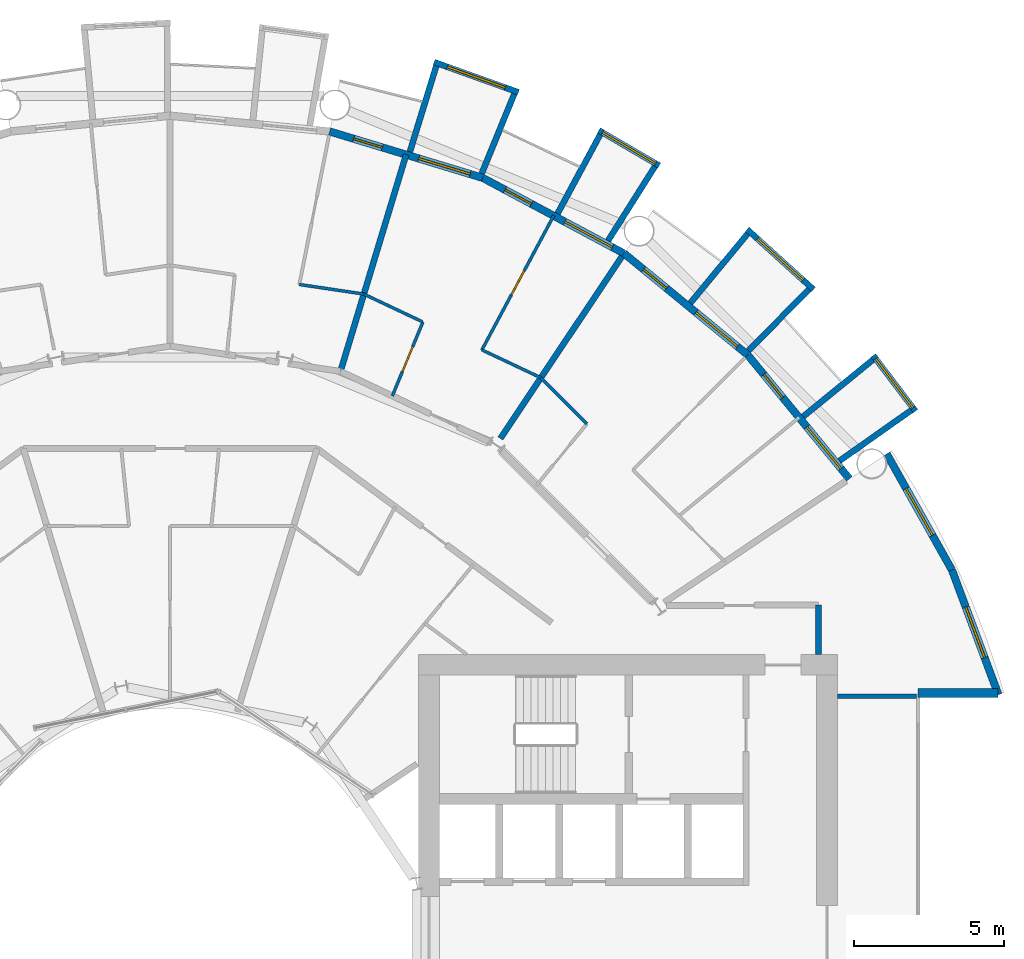
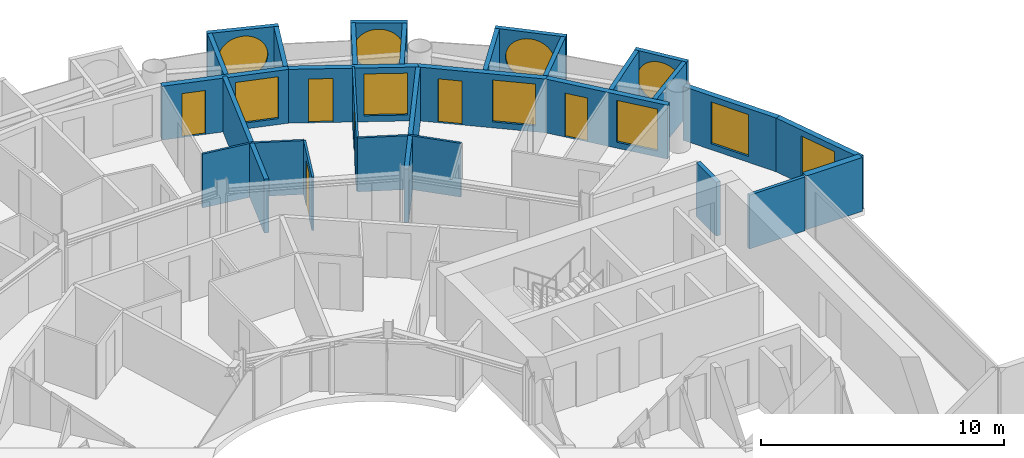
# One storey, part 22 of 26: 29 walls, 10 windows, 6 doors, 16 openings.
"""IFC4 building model written with IfcOpenShell, lengths in metres."""

from ifc_helpers import new_model, si_unit, direction, frame, frame_2d, origin, place, context, subcontext, project, spatial, rectangle, circle, extrude, material, layer, layer_set, type_object, element, fill, save


model = new_model("IFC4")

# Units and contexts
model_context = context("Model", 3, precision=1e-05, world=origin(), true_north=direction((0.0, 1.0)))
body_context = subcontext(model_context, "Body", "Model", "MODEL_VIEW")
ifc_project = project(units=[si_unit("LENGTHUNIT", "METRE"), si_unit("AREAUNIT", "SQUARE_METRE"), si_unit("VOLUMEUNIT", "CUBIC_METRE"), si_unit("PLANEANGLEUNIT", "RADIAN"), si_unit("MASSUNIT", "GRAM", prefix="KILO")], contexts=[model_context])

# Site, building, storey
site_placement = place(None, origin())
site = spatial("IfcSite", under=ifc_project, at=site_placement, CompositionType="ELEMENT")
building_placement = place(site_placement, origin())
building = spatial("IfcBuilding", under=site, at=building_placement, Name="Maasbend Ring Residences", CompositionType="ELEMENT")
storey_placement = place(building_placement, frame((0.0, 0.0, 75.800048828125)))
storey = spatial("IfcBuildingStorey", under=building, at=storey_placement, Name="L21", CompositionType="ELEMENT", Elevation=75.800048828125)

# Wall
ifc_material_1 = material(Name="Concrete C30/37", Category="concrete")
ifc_layer_1 = layer(ifc_material_1, 0.199951171875)
ifc_layer_set_1 = layer_set([ifc_layer_1], Name="Concrete C30/37")
wall_type_1 = type_object("IfcWallType", Name="CORRIDOR WALL 200 CONCRETE", PredefinedType="PARTITIONING", material=ifc_layer_set_1)
wall_1_placement = place(storey_placement, frame((21.675048828125, 9.300048828125, 0.0), z_axis=(0.0, 0.0, 1.0), x_axis=(0.0, 1.0, 0.0)))
element("IfcWall", 1, at=wall_1_placement, inside=storey, type_object=wall_type_1, Name="U-L21-w008", PredefinedType="PARTITIONING", context=body_context, shape_type="SweptSolid", body=[
    extrude(rectangle(XDim=1.64990234375, YDim=0.199951171875, at=frame_2d((0.824951171875, 0.0))), origin(), (0.0, 0.0, 1.0), 2.699951171875),
])

# Wall, opening, window
ifc_material_2 = material(Name="Pale anodised aluminium panel", Category="aluminium")
ifc_layer_2 = layer(ifc_material_2, 0.199951171875)
ifc_layer_set_2 = layer_set([ifc_layer_2], Name="EW-BOX")
wall_type_2 = type_object("IfcWallType", Name="EW-BOX", PredefinedType="SOLIDWALL", material=ifc_layer_set_2)
wall_2_placement = place(storey_placement, frame((24.908935546875, 17.427001953125, -0.030029296875), z_axis=(0.0, 0.0, 1.0), x_axis=(-0.60418752353, 0.796842165306, 0.0)))
wall_2 = element("IfcWall", 2, at=wall_2_placement, inside=storey, type_object=wall_type_2, Name="Box front N01", PredefinedType="SOLIDWALL", context=body_context, shape_type="SweptSolid", body=[
    extrude(rectangle(XDim=2.3369140625, YDim=0.199951171875, at=frame_2d((1.16845703125, 0.0))), origin(), (0.0, 0.0, 1.0), 2.72998046875),
])
opening_1_placement = place(wall_2_placement, frame((0.128173828125, 0.0, 0.330078125)))
opening_1 = element("IfcOpeningElement", 3, at=opening_1_placement, cuts=wall_2, Name="Opening W-RD", PredefinedType="OPENING", context=body_context, shape_type="SweptSolid", body=[
    extrude(circle(Radius=1.0400390625, at=frame_2d((1.0400390625, 1.0400390625))), frame((0.0, 0.10986328125, 0.0), z_axis=(0.0, -1.0, 0.0), x_axis=(1.0, 0.0, 0.0)), (0.0, 0.0, 1.0), 0.219970703125),
])
ifc_material_3 = material(Name="Aluminium and clear glass", Category="aluminium")
window_type_1 = type_object("IfcWindowType", Name="W-RD", PartitioningType="SINGLE_PANEL", PredefinedType="WINDOW", material=ifc_material_3)
window_1_placement = place(opening_1_placement, origin())
window_1 = element("IfcWindow", 4, at=window_1_placement, inside=storey, type_object=window_type_1, Name="Round window N01", OverallHeight=2.080078125, OverallWidth=2.080078125, PartitioningType="SINGLE_PANEL", PredefinedType="WINDOW", context=body_context, shape_type="SweptSolid", body=[
    extrude(circle(Radius=1.0400390625, at=frame_2d((1.0400390625, 1.0400390625))), frame((0.0, 0.030029296875, 0.0), z_axis=(0.0, -1.0, 0.0), x_axis=(1.0, 0.0, 0.0)), (0.0, 0.0, 1.0), 0.06005859375),
])
fill(opening_1, window_1)

# Walls
wall_3_placement = place(storey_placement, frame((22.3701171875, 15.764892578125, -0.030029296875), z_axis=(0.0, 0.0, 1.0), x_axis=(0.817256123454, 0.576274612209, 0.0)))
element("IfcWall", 5, at=wall_3_placement, inside=storey, type_object=wall_type_2, Name="Box side wall N01 left", PredefinedType="SOLIDWALL", context=body_context, shape_type="SweptSolid", body=[
    extrude(rectangle(XDim=2.932861328125, YDim=0.199951171875, at=frame_2d((1.46630859375, 0.0))), origin(), (0.0, 0.0, 1.0), 2.72998046875),
])
wall_4_placement = place(storey_placement, frame((21.155029296875, 17.24609375, -0.030029296875), z_axis=(0.0, 0.0, 1.0), x_axis=(0.775179004516, 0.631741648902, 0.0)))
element("IfcWall", 6, at=wall_4_placement, inside=storey, type_object=wall_type_2, Name="Box side wall N01 right", PredefinedType="SOLIDWALL", context=body_context, shape_type="SweptSolid", body=[
    extrude(rectangle(XDim=3.005859375, YDim=0.199951171875, at=frame_2d((1.5029296875, 0.0))), origin(), (0.0, 0.0, 1.0), 2.72998046875),
])

# Wall, opening, window
wall_5_placement = place(storey_placement, frame((21.5, 21.492919921875, -0.030029296875), z_axis=(0.0, 0.0, 1.0), x_axis=(-0.740998365753, 0.671506829416, 0.0)))
wall_5 = element("IfcWall", 7, at=wall_5_placement, inside=storey, type_object=wall_type_2, Name="Box front N03", PredefinedType="SOLIDWALL", context=body_context, shape_type="SweptSolid", body=[
    extrude(rectangle(XDim=2.9931640625, YDim=0.199951171875, at=frame_2d((1.49658203125, 0.0))), origin(), (0.0, 0.0, 1.0), 2.72998046875),
])
opening_2_placement = place(wall_5_placement, frame((0.45654296875, 0.0, 0.330078125)))
opening_2 = element("IfcOpeningElement", 8, at=opening_2_placement, cuts=wall_5, Name="Opening W-RD", PredefinedType="OPENING", context=body_context, shape_type="SweptSolid", body=[
    extrude(circle(Radius=1.0400390625, at=frame_2d((1.0400390625, 1.0400390625))), frame((0.0, 0.10986328125, 0.0), z_axis=(0.0, -1.0, 0.0), x_axis=(1.0, 0.0, 0.0)), (0.0, 0.0, 1.0), 0.219970703125),
])
window_2_placement = place(opening_2_placement, origin())
window_2 = element("IfcWindow", 9, at=window_2_placement, inside=storey, type_object=window_type_1, Name="Round window N03", OverallHeight=2.080078125, OverallWidth=2.080078125, PartitioningType="SINGLE_PANEL", PredefinedType="WINDOW", context=body_context, shape_type="SweptSolid", body=[
    extrude(circle(Radius=1.0400390625, at=frame_2d((1.0400390625, 1.0400390625))), frame((0.0, 0.030029296875, 0.0), z_axis=(0.0, -1.0, 0.0), x_axis=(1.0, 0.0, 0.0)), (0.0, 0.0, 1.0), 0.06005859375),
])
fill(opening_2, window_2)

# Walls
wall_6_placement = place(storey_placement, frame((19.322998046875, 19.449951171875, -0.030029296875), z_axis=(0.0, 0.0, 1.0), x_axis=(0.704476739375, 0.709727076896, 0.0)))
element("IfcWall", 10, at=wall_6_placement, inside=storey, type_object=wall_type_2, Name="Box side wall N03 left", PredefinedType="SOLIDWALL", context=body_context, shape_type="SweptSolid", body=[
    extrude(rectangle(XDim=2.883056640625, YDim=0.199951171875, at=frame_2d((1.44140625, 0.0))), origin(), (0.0, 0.0, 1.0), 2.72998046875),
])
wall_7_placement = place(storey_placement, frame((17.384033203125, 21.041015625, -0.030029296875), z_axis=(0.0, 0.0, 1.0), x_axis=(0.63709551667, 0.770784861449, 0.0)))
element("IfcWall", 11, at=wall_7_placement, inside=storey, type_object=wall_type_2, Name="Box side wall N03 right", PredefinedType="SOLIDWALL", context=body_context, shape_type="SweptSolid", body=[
    extrude(rectangle(XDim=3.005859375, YDim=0.199951171875, at=frame_2d((1.5029296875, 0.0))), origin(), (0.0, 0.0, 1.0), 2.72998046875),
])

# Wall, opening, window
wall_8_placement = place(storey_placement, frame((16.343994140625, 25.633056640625, -0.030029296875), z_axis=(0.0, 0.0, 1.0), x_axis=(-0.863346521872, 0.504611517081, 0.0)))
wall_8 = element("IfcWall", 12, at=wall_8_placement, inside=storey, type_object=wall_type_2, Name="Box front N05", PredefinedType="SOLIDWALL", context=body_context, shape_type="SweptSolid", body=[
    extrude(rectangle(XDim=2.33642578125, YDim=0.199951171875, at=frame_2d((1.168212890625, 0.0))), origin(), (0.0, 0.0, 1.0), 2.72998046875),
])
opening_3_placement = place(wall_8_placement, frame((0.128173828125, 0.0, 0.330078125)))
opening_3 = element("IfcOpeningElement", 13, at=opening_3_placement, cuts=wall_8, Name="Opening W-RD", PredefinedType="OPENING", context=body_context, shape_type="SweptSolid", body=[
    extrude(circle(Radius=1.0400390625, at=frame_2d((1.0400390625, 1.0400390625))), frame((0.0, 0.10986328125, 0.0), z_axis=(0.0, -1.0, 0.0), x_axis=(1.0, 0.0, 0.0)), (0.0, 0.0, 1.0), 0.219970703125),
])
window_3_placement = place(opening_3_placement, origin())
window_3 = element("IfcWindow", 14, at=window_3_placement, inside=storey, type_object=window_type_1, Name="Round window N05", OverallHeight=2.080078125, OverallWidth=2.080078125, PartitioningType="SINGLE_PANEL", PredefinedType="WINDOW", context=body_context, shape_type="SweptSolid", body=[
    extrude(circle(Radius=1.0400390625, at=frame_2d((1.0400390625, 1.0400390625))), frame((0.0, 0.030029296875, 0.0), z_axis=(0.0, -1.0, 0.0), x_axis=(1.0, 0.0, 0.0)), (0.0, 0.0, 1.0), 0.06005859375),
])
fill(opening_3, window_3)

# Walls
wall_9_placement = place(storey_placement, frame((14.635009765625, 23.1259765625, -0.030029296875), z_axis=(0.0, 0.0, 1.0), x_axis=(0.534437802731, 0.845207805816, 0.0)))
element("IfcWall", 15, at=wall_9_placement, inside=storey, type_object=wall_type_2, Name="Box side wall N05 left", PredefinedType="SOLIDWALL", context=body_context, shape_type="SweptSolid", body=[
    extrude(rectangle(XDim=2.931884765625, YDim=0.199951171875, at=frame_2d((1.4658203125, 0.0))), origin(), (0.0, 0.0, 1.0), 2.72998046875),
])
wall_10_placement = place(storey_placement, frame((12.945068359375, 24.029052734375, -0.030029296875), z_axis=(0.0, 0.0, 1.0), x_axis=(0.474424310775, 0.88029629861, 0.0)))
element("IfcWall", 16, at=wall_10_placement, inside=storey, type_object=wall_type_2, Name="Box side wall N05 right", PredefinedType="SOLIDWALL", context=body_context, shape_type="SweptSolid", body=[
    extrude(rectangle(XDim=3.005859375, YDim=0.199951171875, at=frame_2d((1.5029296875, 0.0))), origin(), (0.0, 0.0, 1.0), 2.72998046875),
])

# Wall, opening, window
wall_11_placement = place(storey_placement, frame((11.637939453125, 28.083984375, -0.030029296875), z_axis=(0.0, 0.0, 1.0), x_axis=(-0.941461077774, 0.337121697664, 0.0)))
wall_11 = element("IfcWall", 17, at=wall_11_placement, inside=storey, type_object=wall_type_2, Name="Box front N07", PredefinedType="SOLIDWALL", context=body_context, shape_type="SweptSolid", body=[
    extrude(rectangle(XDim=2.9931640625, YDim=0.199951171875, at=frame_2d((1.49658203125, 0.0))), origin(), (0.0, 0.0, 1.0), 2.72998046875),
])
opening_4_placement = place(wall_11_placement, frame((0.45654296875, 0.0, 0.330078125)))
opening_4 = element("IfcOpeningElement", 18, at=opening_4_placement, cuts=wall_11, Name="Opening W-RD", PredefinedType="OPENING", context=body_context, shape_type="SweptSolid", body=[
    extrude(circle(Radius=1.0400390625, at=frame_2d((1.0400390625, 1.0400390625))), frame((0.0, 0.10986328125, 0.0), z_axis=(0.0, -1.0, 0.0), x_axis=(1.0, 0.0, 0.0)), (0.0, 0.0, 1.0), 0.219970703125),
])
window_4_placement = place(opening_4_placement, origin())
window_4 = element("IfcWindow", 19, at=window_4_placement, inside=storey, type_object=window_type_1, Name="Round window N07", OverallHeight=2.080078125, OverallWidth=2.080078125, PartitioningType="SINGLE_PANEL", PredefinedType="WINDOW", context=body_context, shape_type="SweptSolid", body=[
    extrude(circle(Radius=1.0400390625, at=frame_2d((1.0400390625, 1.0400390625))), frame((0.0, 0.030029296875, 0.0), z_axis=(0.0, -1.0, 0.0), x_axis=(1.0, 0.0, 0.0)), (0.0, 0.0, 1.0), 0.06005859375),
])
fill(opening_4, window_4)

# Walls
wall_12_placement = place(storey_placement, frame((10.408935546875, 25.364013671875, -0.030029296875), z_axis=(0.0, 0.0, 1.0), x_axis=(0.379509886562, 0.925187681501, 0.0)))
element("IfcWall", 20, at=wall_12_placement, inside=storey, type_object=wall_type_2, Name="Box side wall N07 left", PredefinedType="SOLIDWALL", context=body_context, shape_type="SweptSolid", body=[
    extrude(rectangle(XDim=2.882568359375, YDim=0.199951171875, at=frame_2d((1.44140625, 0.0))), origin(), (0.0, 0.0, 1.0), 2.72998046875),
])
wall_13_placement = place(storey_placement, frame((8.009033203125, 26.092041015625, -0.030029296875), z_axis=(0.0, 0.0, 1.0), x_axis=(0.293406695073, 0.955987715029, 0.0)))
element("IfcWall", 21, at=wall_13_placement, inside=storey, type_object=wall_type_2, Name="Box side wall N07 right", PredefinedType="SOLIDWALL", context=body_context, shape_type="SweptSolid", body=[
    extrude(rectangle(XDim=3.00634765625, YDim=0.199951171875, at=frame_2d((1.503173828125, 0.0))), origin(), (0.0, 0.0, 1.0), 2.72998046875),
])

# Wall, openings, door, window
ifc_material_4 = material(Name="Aluminium clad insulated panel", Category="aluminium")
ifc_layer_3 = layer(ifc_material_4, 0.25)
ifc_layer_set_3 = layer_set([ifc_layer_3], Name="EW-GL")
wall_type_3 = type_object("IfcWallType", Name="EW-GL", PredefinedType="SOLIDWALL", material=ifc_layer_set_3)
wall_14_placement = place(storey_placement, frame((22.698974609375, 15.1669921875, 0.0), z_axis=(0.0, 0.0, 1.0), x_axis=(-0.634382322723, 0.773019449054, 0.0)))
wall_14 = element("IfcWall", 22, at=wall_14_placement, inside=storey, type_object=wall_type_3, Name="External wall N01", PredefinedType="SOLIDWALL", context=body_context, shape_type="SweptSolid", body=[
    extrude(rectangle(XDim=5.351806640625, YDim=0.25, at=frame_2d((2.67578125, 0.0))), origin(), (0.0, 0.0, 1.0), 2.699951171875),
])
opening_5_placement = place(wall_14_placement, frame((0.441162109375, 0.0, 0.300048828125)))
opening_5 = element("IfcOpeningElement", 23, at=opening_5_placement, cuts=wall_14, Name="Opening W-BX", PredefinedType="OPENING", context=body_context, shape_type="SweptSolid", body=[
    extrude(rectangle(XDim=1.800048828125, YDim=2.10009765625, at=frame_2d((0.89990234375, 1.050048828125))), frame((0.0, 0.135009765625, 0.0), z_axis=(0.0, -1.0, 0.0), x_axis=(1.0, 0.0, 0.0)), (0.0, 0.0, 1.0), 0.27001953125),
])
opening_6_placement = place(wall_14_placement, frame((3.510498046875, 0.0, 0.0)))
opening_6 = element("IfcOpeningElement", 24, at=opening_6_placement, cuts=wall_14, Name="Opening D-LG", PredefinedType="OPENING", context=body_context, shape_type="SweptSolid", body=[
    extrude(rectangle(XDim=1.0, YDim=2.199951171875, at=frame_2d((0.5, 1.10009765625))), frame((0.0, 0.135009765625, 0.0), z_axis=(0.0, -1.0, 0.0), x_axis=(1.0, 0.0, 0.0)), (0.0, 0.0, 1.0), 0.27001953125),
])
ifc_material_5 = material(Name="Aluminium and clear glass", Category="aluminium")
door_type_1 = type_object("IfcDoorType", Name="D-LG", OperationType="SINGLE_SWING_LEFT", PredefinedType="DOOR", material=ifc_material_5)
door_1_placement = place(opening_6_placement, origin())
door_1 = element("IfcDoor", 25, at=door_1_placement, inside=storey, type_object=door_type_1, Name="Loggia door N02", OperationType="SINGLE_SWING_LEFT", OverallHeight=2.199951171875, OverallWidth=1.0, PredefinedType="DOOR", context=body_context, shape_type="SweptSolid", body=[
    extrude(rectangle(XDim=1.0, YDim=2.199951171875, at=frame_2d((0.5, 1.10009765625))), frame((0.0, 0.02490234375, 0.0), z_axis=(0.0, -1.0, 0.0), x_axis=(1.0, 0.0, 0.0)), (0.0, 0.0, 1.0), 0.050048828125),
])
fill(opening_6, door_1)
ifc_material_6 = material(Name="Aluminium and clear glass", Category="aluminium")
window_type_2 = type_object("IfcWindowType", Name="W-BX", PartitioningType="DOUBLE_PANEL_VERTICAL", PredefinedType="WINDOW", material=ifc_material_6)
window_5_placement = place(opening_5_placement, origin())
window_5 = element("IfcWindow", 26, at=window_5_placement, inside=storey, type_object=window_type_2, Name="Window N01 room to box", OverallHeight=2.10009765625, OverallWidth=1.800048828125, PartitioningType="SINGLE_PANEL", PredefinedType="WINDOW", context=body_context, shape_type="SweptSolid", body=[
    extrude(rectangle(XDim=1.800048828125, YDim=2.10009765625, at=frame_2d((0.89990234375, 1.050048828125))), frame((0.0, 0.030029296875, 0.0), z_axis=(0.0, -1.0, 0.0), x_axis=(1.0, 0.0, 0.0)), (0.0, 0.0, 1.0), 0.06005859375),
])
fill(opening_5, window_5)

wall_15_placement = place(storey_placement, frame((19.303955078125, 19.303955078125, 0.0), z_axis=(0.0, 0.0, 1.0), x_axis=(-0.773019449054, 0.634382322723, 0.0)))
wall_15 = element("IfcWall", 27, at=wall_15_placement, inside=storey, type_object=wall_type_3, Name="External wall N02", PredefinedType="SOLIDWALL", context=body_context, shape_type="SweptSolid", body=[
    extrude(rectangle(XDim=5.351806640625, YDim=0.25, at=frame_2d((2.67578125, 0.0))), origin(), (0.0, 0.0, 1.0), 2.699951171875),
])
opening_7_placement = place(wall_15_placement, frame((0.441162109375, 0.0, 0.300048828125)))
opening_7 = element("IfcOpeningElement", 28, at=opening_7_placement, cuts=wall_15, Name="Opening W-BX", PredefinedType="OPENING", context=body_context, shape_type="SweptSolid", body=[
    extrude(rectangle(XDim=1.800048828125, YDim=2.10009765625, at=frame_2d((0.89990234375, 1.050048828125))), frame((0.0, 0.135009765625, 0.0), z_axis=(0.0, -1.0, 0.0), x_axis=(1.0, 0.0, 0.0)), (0.0, 0.0, 1.0), 0.27001953125),
])
opening_8_placement = place(wall_15_placement, frame((3.510498046875, 0.0, 0.0)))
opening_8 = element("IfcOpeningElement", 29, at=opening_8_placement, cuts=wall_15, Name="Opening D-LG", PredefinedType="OPENING", context=body_context, shape_type="SweptSolid", body=[
    extrude(rectangle(XDim=1.0, YDim=2.199951171875, at=frame_2d((0.5, 1.10009765625))), frame((0.0, 0.135009765625, 0.0), z_axis=(0.0, -1.0, 0.0), x_axis=(1.0, 0.0, 0.0)), (0.0, 0.0, 1.0), 0.27001953125),
])
door_2_placement = place(opening_8_placement, origin())
door_2 = element("IfcDoor", 30, at=door_2_placement, inside=storey, type_object=door_type_1, Name="Loggia door N04", OperationType="SINGLE_SWING_LEFT", OverallHeight=2.199951171875, OverallWidth=1.0, PredefinedType="DOOR", context=body_context, shape_type="SweptSolid", body=[
    extrude(rectangle(XDim=1.0, YDim=2.199951171875, at=frame_2d((0.5, 1.10009765625))), frame((0.0, 0.02490234375, 0.0), z_axis=(0.0, -1.0, 0.0), x_axis=(1.0, 0.0, 0.0)), (0.0, 0.0, 1.0), 0.050048828125),
])
fill(opening_8, door_2)
window_6_placement = place(opening_7_placement, origin())
window_6 = element("IfcWindow", 31, at=window_6_placement, inside=storey, type_object=window_type_2, Name="Window N03 room to box", OverallHeight=2.10009765625, OverallWidth=1.800048828125, PartitioningType="SINGLE_PANEL", PredefinedType="WINDOW", context=body_context, shape_type="SweptSolid", body=[
    extrude(rectangle(XDim=1.800048828125, YDim=2.10009765625, at=frame_2d((0.89990234375, 1.050048828125))), frame((0.0, 0.030029296875, 0.0), z_axis=(0.0, -1.0, 0.0), x_axis=(1.0, 0.0, 0.0)), (0.0, 0.0, 1.0), 0.06005859375),
])
fill(opening_7, window_6)

wall_16_placement = place(storey_placement, frame((15.1669921875, 22.698974609375, 0.0), z_axis=(0.0, 0.0, 1.0), x_axis=(-0.881915646801, 0.471407246368, 0.0)))
wall_16 = element("IfcWall", 32, at=wall_16_placement, inside=storey, type_object=wall_type_3, Name="External wall N03", PredefinedType="SOLIDWALL", context=body_context, shape_type="SweptSolid", body=[
    extrude(rectangle(XDim=5.35205078125, YDim=0.25, at=frame_2d((2.676025390625, 0.0))), origin(), (0.0, 0.0, 1.0), 2.699951171875),
])
opening_9_placement = place(wall_16_placement, frame((0.441162109375, 0.0, 0.300048828125)))
opening_9 = element("IfcOpeningElement", 33, at=opening_9_placement, cuts=wall_16, Name="Opening W-BX", PredefinedType="OPENING", context=body_context, shape_type="SweptSolid", body=[
    extrude(rectangle(XDim=1.800048828125, YDim=2.10009765625, at=frame_2d((0.89990234375, 1.050048828125))), frame((0.0, 0.135009765625, 0.0), z_axis=(0.0, -1.0, 0.0), x_axis=(1.0, 0.0, 0.0)), (0.0, 0.0, 1.0), 0.27001953125),
])
opening_10_placement = place(wall_16_placement, frame((3.510498046875, 0.0, 0.0)))
opening_10 = element("IfcOpeningElement", 34, at=opening_10_placement, cuts=wall_16, Name="Opening D-LG", PredefinedType="OPENING", context=body_context, shape_type="SweptSolid", body=[
    extrude(rectangle(XDim=1.0, YDim=2.199951171875, at=frame_2d((0.5, 1.10009765625))), frame((0.0, 0.135009765625, 0.0), z_axis=(0.0, -1.0, 0.0), x_axis=(1.0, 0.0, 0.0)), (0.0, 0.0, 1.0), 0.27001953125),
])
door_3_placement = place(opening_10_placement, origin())
door_3 = element("IfcDoor", 35, at=door_3_placement, inside=storey, type_object=door_type_1, Name="Loggia door N06", OperationType="SINGLE_SWING_LEFT", OverallHeight=2.199951171875, OverallWidth=1.0, PredefinedType="DOOR", context=body_context, shape_type="SweptSolid", body=[
    extrude(rectangle(XDim=1.0, YDim=2.199951171875, at=frame_2d((0.5, 1.10009765625))), frame((0.0, 0.02490234375, 0.0), z_axis=(0.0, -1.0, 0.0), x_axis=(1.0, 0.0, 0.0)), (0.0, 0.0, 1.0), 0.050048828125),
])
fill(opening_10, door_3)
window_7_placement = place(opening_9_placement, origin())
window_7 = element("IfcWindow", 36, at=window_7_placement, inside=storey, type_object=window_type_2, Name="Window N05 room to box", OverallHeight=2.10009765625, OverallWidth=1.800048828125, PartitioningType="SINGLE_PANEL", PredefinedType="WINDOW", context=body_context, shape_type="SweptSolid", body=[
    extrude(rectangle(XDim=1.800048828125, YDim=2.10009765625, at=frame_2d((0.89990234375, 1.050048828125))), frame((0.0, 0.030029296875, 0.0), z_axis=(0.0, -1.0, 0.0), x_axis=(1.0, 0.0, 0.0)), (0.0, 0.0, 1.0), 0.06005859375),
])
fill(opening_9, window_7)

wall_17_placement = place(storey_placement, frame((10.447021484375, 25.221923828125, 0.0), z_axis=(0.0, 0.0, 1.0), x_axis=(-0.956965678721, 0.290201119486, 0.0)))
wall_17 = element("IfcWall", 37, at=wall_17_placement, inside=storey, type_object=wall_type_3, Name="External wall N04", PredefinedType="SOLIDWALL", context=body_context, shape_type="SweptSolid", body=[
    extrude(rectangle(XDim=5.351318359375, YDim=0.25, at=frame_2d((2.67578125, 0.0))), origin(), (0.0, 0.0, 1.0), 2.699951171875),
])
opening_11_placement = place(wall_17_placement, frame((0.441162109375, 0.0, 0.300048828125)))
opening_11 = element("IfcOpeningElement", 38, at=opening_11_placement, cuts=wall_17, Name="Opening W-BX", PredefinedType="OPENING", context=body_context, shape_type="SweptSolid", body=[
    extrude(rectangle(XDim=1.800048828125, YDim=2.10009765625, at=frame_2d((0.89990234375, 1.050048828125))), frame((0.0, 0.135009765625, 0.0), z_axis=(0.0, -1.0, 0.0), x_axis=(1.0, 0.0, 0.0)), (0.0, 0.0, 1.0), 0.27001953125),
])
opening_12_placement = place(wall_17_placement, frame((3.510498046875, 0.0, 0.0)))
opening_12 = element("IfcOpeningElement", 39, at=opening_12_placement, cuts=wall_17, Name="Opening D-LG", PredefinedType="OPENING", context=body_context, shape_type="SweptSolid", body=[
    extrude(rectangle(XDim=1.0, YDim=2.199951171875, at=frame_2d((0.5, 1.10009765625))), frame((0.0, 0.135009765625, 0.0), z_axis=(0.0, -1.0, 0.0), x_axis=(1.0, 0.0, 0.0)), (0.0, 0.0, 1.0), 0.27001953125),
])
door_4_placement = place(opening_12_placement, origin())
door_4 = element("IfcDoor", 40, at=door_4_placement, inside=storey, type_object=door_type_1, Name="Loggia door N08", OperationType="SINGLE_SWING_LEFT", OverallHeight=2.199951171875, OverallWidth=1.0, PredefinedType="DOOR", context=body_context, shape_type="SweptSolid", body=[
    extrude(rectangle(XDim=1.0, YDim=2.199951171875, at=frame_2d((0.5, 1.10009765625))), frame((0.0, 0.02490234375, 0.0), z_axis=(0.0, -1.0, 0.0), x_axis=(1.0, 0.0, 0.0)), (0.0, 0.0, 1.0), 0.050048828125),
])
fill(opening_12, door_4)
window_8_placement = place(opening_11_placement, origin())
window_8 = element("IfcWindow", 41, at=window_8_placement, inside=storey, type_object=window_type_2, Name="Window N07 room to box", OverallHeight=2.10009765625, OverallWidth=1.800048828125, PartitioningType="SINGLE_PANEL", PredefinedType="WINDOW", context=body_context, shape_type="SweptSolid", body=[
    extrude(rectangle(XDim=1.800048828125, YDim=2.10009765625, at=frame_2d((0.89990234375, 1.050048828125))), frame((0.0, 0.030029296875, 0.0), z_axis=(0.0, -1.0, 0.0), x_axis=(1.0, 0.0, 0.0)), (0.0, 0.0, 1.0), 0.06005859375),
])
fill(opening_11, window_8)

# Wall, opening, window
ifc_material_7 = material(Name="Aluminium clad insulated panel", Category="aluminium")
ifc_layer_4 = layer(ifc_material_7, 0.25)
ifc_layer_set_4 = layer_set([ifc_layer_4], Name="EW-HORN")
wall_type_4 = type_object("IfcWallType", Name="EW-HORN", PredefinedType="SOLIDWALL", material=ifc_layer_set_4)
wall_18_placement = place(storey_placement, frame((27.681884765625, 7.945068359375, 0.0), z_axis=(0.0, 0.0, 1.0), x_axis=(-0.349247811493, 0.937030397675, 0.0)))
wall_18 = element("IfcWall", 42, at=wall_18_placement, inside=storey, type_object=wall_type_4, Name="Horn wall 1.1", PredefinedType="SOLIDWALL", context=body_context, shape_type="SweptSolid", body=[
    extrude(rectangle(XDim=4.4521484375, YDim=0.25, at=frame_2d((2.22607421875, 0.0))), origin(), (0.0, 0.0, 1.0), 2.699951171875),
])
opening_13_placement = place(wall_18_placement, frame((1.32666015625, 0.0, 0.300048828125)))
opening_13 = element("IfcOpeningElement", 43, at=opening_13_placement, cuts=wall_18, Name="Opening W-BX", PredefinedType="OPENING", context=body_context, shape_type="SweptSolid", body=[
    extrude(rectangle(XDim=1.800048828125, YDim=2.10009765625, at=frame_2d((0.89990234375, 1.050048828125))), frame((0.0, 0.135009765625, 0.0), z_axis=(0.0, -1.0, 0.0), x_axis=(1.0, 0.0, 0.0)), (0.0, 0.0, 1.0), 0.27001953125),
])
window_9_placement = place(opening_13_placement, origin())
window_9 = element("IfcWindow", 44, at=window_9_placement, inside=storey, type_object=window_type_2, Name="Horn window 1.1", OverallHeight=2.10009765625, OverallWidth=1.800048828125, PartitioningType="SINGLE_PANEL", PredefinedType="WINDOW", context=body_context, shape_type="SweptSolid", body=[
    extrude(rectangle(XDim=1.800048828125, YDim=2.10009765625, at=frame_2d((0.89990234375, 1.050048828125))), frame((0.0, 0.030029296875, 0.0), z_axis=(0.0, -1.0, 0.0), x_axis=(1.0, 0.0, 0.0)), (0.0, 0.0, 1.0), 0.06005859375),
])
fill(opening_13, window_9)

wall_19_placement = place(storey_placement, frame((26.126953125, 12.116943359375, 0.0), z_axis=(0.0, 0.0, 1.0), x_axis=(-0.489696356642, 0.871893042919, 0.0)))
wall_19 = element("IfcWall", 45, at=wall_19_placement, inside=storey, type_object=wall_type_4, Name="Horn wall 1.2", PredefinedType="SOLIDWALL", context=body_context, shape_type="SweptSolid", body=[
    extrude(rectangle(XDim=4.45361328125, YDim=0.25, at=frame_2d((2.226806640625, 0.0))), origin(), (0.0, 0.0, 1.0), 2.699951171875),
])
opening_14_placement = place(wall_19_placement, frame((1.32666015625, 0.0, 0.300048828125)))
opening_14 = element("IfcOpeningElement", 46, at=opening_14_placement, cuts=wall_19, Name="Opening W-BX", PredefinedType="OPENING", context=body_context, shape_type="SweptSolid", body=[
    extrude(rectangle(XDim=1.800048828125, YDim=2.10009765625, at=frame_2d((0.89990234375, 1.050048828125))), frame((0.0, 0.135009765625, 0.0), z_axis=(0.0, -1.0, 0.0), x_axis=(1.0, 0.0, 0.0)), (0.0, 0.0, 1.0), 0.27001953125),
])
window_10_placement = place(opening_14_placement, origin())
window_10 = element("IfcWindow", 47, at=window_10_placement, inside=storey, type_object=window_type_2, Name="Horn window 1.2", OverallHeight=2.10009765625, OverallWidth=1.800048828125, PartitioningType="SINGLE_PANEL", PredefinedType="WINDOW", context=body_context, shape_type="SweptSolid", body=[
    extrude(rectangle(XDim=1.800048828125, YDim=2.10009765625, at=frame_2d((0.89990234375, 1.050048828125))), frame((0.0, 0.030029296875, 0.0), z_axis=(0.0, -1.0, 0.0), x_axis=(1.0, 0.0, 0.0)), (0.0, 0.0, 1.0), 0.06005859375),
])
fill(opening_14, window_10)

# Wall
ifc_material_8 = material(Name="Aluminium clad insulated panel", Category="aluminium")
ifc_layer_5 = layer(ifc_material_8, 0.300048828125)
ifc_layer_set_5 = layer_set([ifc_layer_5], Name="EW-RET")
wall_type_5 = type_object("IfcWallType", Name="EW-RET", PredefinedType="SOLIDWALL", material=ifc_layer_set_5)
wall_20_placement = place(storey_placement, frame((25.0, 8.0, 0.0), z_axis=(0.0, 0.0, 1.0), x_axis=(1.0, 0.0, 0.0)))
element("IfcWall", 48, at=wall_20_placement, inside=storey, type_object=wall_type_5, Name="Notch return wall east north", PredefinedType="SOLIDWALL", context=body_context, shape_type="SweptSolid", body=[
    extrude(rectangle(XDim=2.6669921875, YDim=0.300048828125, at=frame_2d((1.33349609375, 0.0))), origin(), (0.0, 0.0, 1.0), 2.699951171875),
])

# Wall, opening, door
ifc_material_9 = material(Name="Gypsum board on steel studs", Category="steel")
ifc_layer_6 = layer(ifc_material_9, 0.10009765625)
ifc_layer_set_6 = layer_set([ifc_layer_6], Name="PARTITION 100 GYPSUM")
wall_type_6 = type_object("IfcWallType", Name="PARTITION 100 GYPSUM", PredefinedType="PARTITIONING", material=ifc_layer_set_6)
wall_21_placement = place(storey_placement, frame((7.423095703125, 17.93603515625, 0.0), z_axis=(0.0, 0.0, 1.0), x_axis=(0.382195876364, 0.924081334132, 0.0)))
wall_21 = element("IfcWall", 49, at=wall_21_placement, inside=storey, type_object=wall_type_6, Name="U-L21-w080", PredefinedType="PARTITIONING", context=body_context, shape_type="SweptSolid", body=[
    extrude(rectangle(XDim=2.673828125, YDim=0.10009765625, at=frame_2d((1.3369140625, 0.0))), origin(), (0.0, 0.0, 1.0), 2.699951171875),
])
opening_15_placement = place(wall_21_placement, frame((0.886962890625, 0.0, 0.0)))
opening_15 = element("IfcOpeningElement", 50, at=opening_15_placement, cuts=wall_21, Name="Opening D-2106", PredefinedType="OPENING", context=body_context, shape_type="SweptSolid", body=[
    extrude(rectangle(XDim=0.89990234375, YDim=2.300048828125, at=frame_2d((0.449951171875, 1.14990234375))), frame((0.0, 0.06005859375, 0.0), z_axis=(0.0, -1.0, 0.0), x_axis=(1.0, 0.0, 0.0)), (0.0, 0.0, 1.0), 0.1201171875),
])
ifc_material_10 = material(Name="Timber, painted", Category="wood")
door_type_2 = type_object("IfcDoorType", Name="INTERNAL DOOR 900 X 2300", OperationType="NOTDEFINED", PredefinedType="DOOR", material=ifc_material_10)
door_5_placement = place(opening_15_placement, origin())
door_5 = element("IfcDoor", 51, at=door_5_placement, inside=storey, type_object=door_type_2, Name="D-2106", OperationType="SINGLE_SWING_RIGHT", OverallHeight=2.300048828125, OverallWidth=0.89990234375, PredefinedType="DOOR", context=body_context, shape_type="SweptSolid", body=[
    extrude(rectangle(XDim=0.89990234375, YDim=2.300048828125, at=frame_2d((0.449951171875, 1.14990234375))), frame((0.0, 0.02490234375, 0.0), z_axis=(0.0, -1.0, 0.0), x_axis=(1.0, 0.0, 0.0)), (0.0, 0.0, 1.0), 0.050048828125),
])
fill(opening_15, door_5)

wall_22_placement = place(storey_placement, frame((10.4169921875, 19.47412109375, 0.0), z_axis=(0.0, 0.0, 1.0), x_axis=(0.471755462896, 0.881729427448, 0.0)))
wall_22 = element("IfcWall", 52, at=wall_22_placement, inside=storey, type_object=wall_type_6, Name="U-L21-w083", PredefinedType="PARTITIONING", context=body_context, shape_type="SweptSolid", body=[
    extrude(rectangle(XDim=5.08984375, YDim=0.10009765625, at=frame_2d((2.544921875, 0.0))), origin(), (0.0, 0.0, 1.0), 2.699951171875),
])
opening_16_placement = place(wall_22_placement, frame((2.094970703125, 0.0, 0.0)))
opening_16 = element("IfcOpeningElement", 53, at=opening_16_placement, cuts=wall_22, Name="Opening D-2107", PredefinedType="OPENING", context=body_context, shape_type="SweptSolid", body=[
    extrude(rectangle(XDim=0.89990234375, YDim=2.300048828125, at=frame_2d((0.449951171875, 1.14990234375))), frame((0.0, 0.06005859375, 0.0), z_axis=(0.0, -1.0, 0.0), x_axis=(1.0, 0.0, 0.0)), (0.0, 0.0, 1.0), 0.1201171875),
])
door_6_placement = place(opening_16_placement, origin())
door_6 = element("IfcDoor", 54, at=door_6_placement, inside=storey, type_object=door_type_2, Name="D-2107", OperationType="SINGLE_SWING_LEFT", OverallHeight=2.300048828125, OverallWidth=0.89990234375, PredefinedType="DOOR", context=body_context, shape_type="SweptSolid", body=[
    extrude(rectangle(XDim=0.89990234375, YDim=2.300048828125, at=frame_2d((0.449951171875, 1.14990234375))), frame((0.0, 0.02490234375, 0.0), z_axis=(0.0, -1.0, 0.0), x_axis=(1.0, 0.0, 0.0)), (0.0, 0.0, 1.0), 0.050048828125),
])
fill(opening_16, door_6)

# Walls
wall_23_placement = place(storey_placement, frame((12.385009765625, 18.5439453125, 0.0), z_axis=(0.0, 0.0, 1.0), x_axis=(0.707387256653, -0.706826194425, 0.0)))
element("IfcWall", 55, at=wall_23_placement, inside=storey, type_object=wall_type_6, Name="U-L21-w119", PredefinedType="PARTITIONING", context=body_context, shape_type="SweptSolid", body=[
    extrude(rectangle(XDim=2.17578125, YDim=0.10009765625, at=frame_2d((1.087890625, 0.0))), origin(), (0.0, 0.0, 1.0), 2.699951171875),
])
wall_24_placement = place(storey_placement, frame((4.31494140625, 21.659912109375, 0.0), z_axis=(0.0, 0.0, 1.0), x_axis=(0.989185420695, -0.146670390618, 0.0)))
element("IfcWall", 56, at=wall_24_placement, inside=storey, type_object=wall_type_6, Name="U-L21-w126", PredefinedType="PARTITIONING", context=body_context, shape_type="SweptSolid", body=[
    extrude(rectangle(XDim=2.1806640625, YDim=0.10009765625, at=frame_2d((1.09033203125, 0.0))), origin(), (0.0, 0.0, 1.0), 2.699951171875),
])
for number, where, z_axis, x_axis, name in (
    (57, (6.464111328125, 21.342041015625, 0.0), (0.0, 0.0, 1.0), (0.904081702397, -0.427359655782, 0.0), "U-L21-w127"),
    (58, (10.4169921875, 19.47412109375, 0.0), (0.0, 0.0, 1.0), (0.904081702397, -0.427359655782, 0.0), "U-L21-w128"),
):
    element("IfcWall", number, at=place(storey_placement, frame(where, z_axis=z_axis, x_axis=x_axis)), inside=storey, type_object=wall_type_6, Name=name, PredefinedType="PARTITIONING", context=body_context, shape_type="SweptSolid", body=[
        extrude(rectangle(XDim=2.18115234375, YDim=0.10009765625, at=frame_2d((1.090576171875, 0.0))), origin(), (0.0, 0.0, 1.0), 2.699951171875),
    ])
ifc_material_11 = material(Name="Gypsum board on steel studs", Category="steel")
ifc_layer_7 = layer(ifc_material_11, 0.14990234375)
ifc_layer_set_7 = layer_set([ifc_layer_7], Name="PARTITION 150 EI 60")
wall_type_7 = type_object("IfcWallType", Name="PARTITION 150 EI 60", PredefinedType="PARTITIONING", material=ifc_layer_set_7)
wall_25_placement = place(storey_placement, frame((22.300048828125, 7.89990234375, 0.0), z_axis=(0.0, 0.0, 1.0), x_axis=(1.0, 0.0, 0.0)))
element("IfcWall", 59, at=wall_25_placement, inside=storey, type_object=wall_type_7, Name="L21 core E wall CITN", PredefinedType="PARTITIONING", context=body_context, shape_type="SweptSolid", body=[
    extrude(rectangle(XDim=2.639892578125, YDim=0.14990234375, at=frame_2d((1.31982421875, 0.0))), origin(), (0.0, 0.0, 1.0), 2.699951171875),
])
ifc_material_12 = material(Name="Concrete C30/37", Category="concrete")
ifc_layer_8 = layer(ifc_material_12, 0.199951171875)
ifc_layer_set_8 = layer_set([ifc_layer_8], Name="Concrete C30/37")
wall_type_8 = type_object("IfcWallType", Name="PARTY WALL 200 CONCRETE", PredefinedType="PARTITIONING", material=ifc_layer_set_8)
wall_26_placement = place(storey_placement, frame((5.68994140625, 18.756103515625, 0.0), z_axis=(0.0, 0.0, 1.0), x_axis=(0.29005838641, 0.957008951094, 0.0)))
element("IfcWall", 60, at=wall_26_placement, inside=storey, type_object=wall_type_8, Name="U-L21-w036", PredefinedType="PARTITIONING", context=body_context, shape_type="SweptSolid", body=[
    extrude(rectangle(XDim=7.574462890625, YDim=0.199951171875, at=frame_2d((3.787109375, 0.0))), origin(), (0.0, 0.0, 1.0), 2.699951171875),
])
wall_27_placement = place(storey_placement, frame((11.034912109375, 16.514892578125, 0.0), z_axis=(0.0, 0.0, 1.0), x_axis=(0.555516661303, 0.831505405283, 0.0)))
element("IfcWall", 61, at=wall_27_placement, inside=storey, type_object=wall_type_8, Name="U-L21-w084", PredefinedType="PARTITIONING", context=body_context, shape_type="SweptSolid", body=[
    extrude(rectangle(XDim=7.31201171875, YDim=0.199951171875, at=frame_2d((3.656005859375, 0.0))), origin(), (0.0, 0.0, 1.0), 2.699951171875),
])

save(model, "model.ifc")
